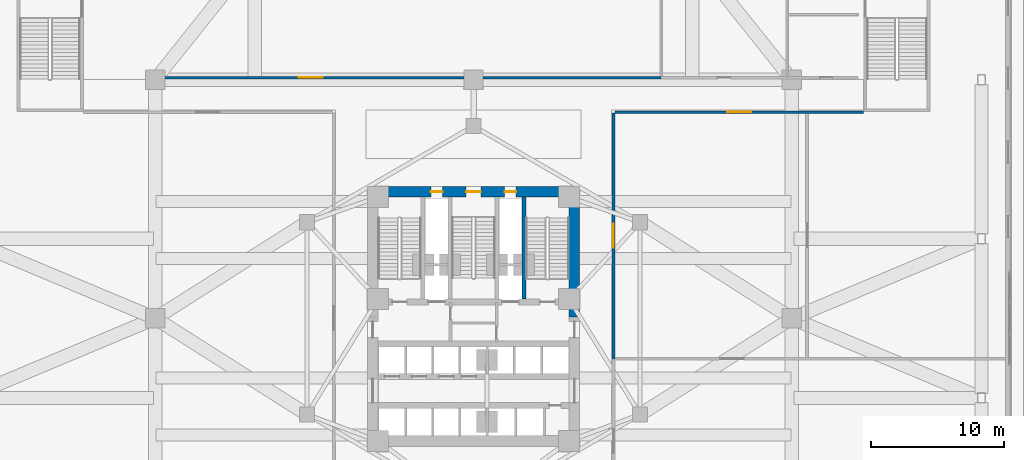
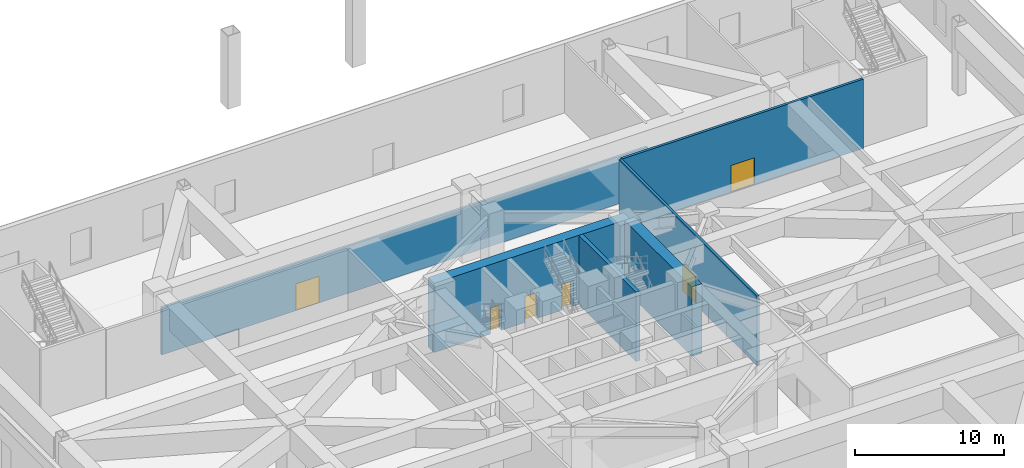
# One storey, part 13 of 25: 6 doors, 6 walls, 6 openings.
"""IFC4 building model written with IfcOpenShell, lengths in metres."""

from ifc_helpers import new_model, si_unit, direction, frame, frame_2d, origin, place, context, subcontext, project, spatial, rectangle, extrude, material, layer, layer_set, type_object, element, fill, save


model = new_model("IFC4")

# Units and contexts
model_context = context("Model", 3, precision=1e-05, world=origin(), true_north=direction((0.0, 1.0)))
body_context = subcontext(model_context, "Body", "Model", "MODEL_VIEW")
ifc_project = project(units=[si_unit("LENGTHUNIT", "METRE"), si_unit("AREAUNIT", "SQUARE_METRE"), si_unit("VOLUMEUNIT", "CUBIC_METRE"), si_unit("PLANEANGLEUNIT", "RADIAN"), si_unit("MASSUNIT", "GRAM", prefix="KILO")], contexts=[model_context])

# Site, building, storey
site_placement = place(None, origin())
site = spatial("IfcSite", under=ifc_project, at=site_placement, CompositionType="ELEMENT")
building_placement = place(site_placement, origin())
building = spatial("IfcBuilding", under=site, at=building_placement, Name="Apsidion Concourse Tower", CompositionType="ELEMENT")
storey_placement = place(building_placement, frame((0.0, 0.0, 11.5)))
storey = spatial("IfcBuildingStorey", under=building, at=storey_placement, Name="L02", CompositionType="ELEMENT", Elevation=11.5)

# Wall, opening, door
ifc_material_1 = material(Name="Gypsum plasterboard partition")
ifc_layer_1 = layer(ifc_material_1, 0.179931640625)
ifc_layer_set_1 = layer_set([ifc_layer_1], Name="Gypsum plasterboard partition")
wall_type_1 = type_object("IfcWallType", Name="WL-INT-PAR-180", PredefinedType="PARTITIONING", material=ifc_layer_set_1)
wall_1_placement = place(storey_placement, frame((-23.60009765625, 18.14990234375, 0.0), z_axis=(0.0, 0.0, 1.0), x_axis=(1.0, 0.0, 0.0)))
wall_1 = element("IfcWall", 1, at=wall_1_placement, inside=storey, type_object=wall_type_1, Name="L02 Interior Partition WL-L02-NW", PredefinedType="PARTITIONING", context=body_context, shape_type="SweptSolid", body=[
    extrude(rectangle(XDim=37.75, YDim=0.179931640625, at=frame_2d((18.875, 0.0))), origin(), (0.0, 0.0, 1.0), 3.8798828125),
])
opening_1_placement = place(wall_1_placement, frame((10.425048828125, 0.0, 0.0)))
opening_1 = element("IfcOpeningElement", 2, at=opening_1_placement, cuts=wall_1, Name="Opening D-06D", PredefinedType="OPENING", context=body_context, shape_type="SweptSolid", body=[
    extrude(rectangle(XDim=1.800048828125, YDim=2.199951171875, at=frame_2d((0.89990234375, 1.10009765625))), frame((0.0, 0.10009765625, 0.0), z_axis=(0.0, -1.0, 0.0), x_axis=(1.0, 0.0, 0.0)), (0.0, 0.0, 1.0), 0.199951171875),
])
ifc_material_2 = material(Name="Brushed stainless steel 316", Category="steel")
door_type_1 = type_object("IfcDoorType", Name="DR-INT-D06D", OperationType="DOUBLE_DOOR_SINGLE_SWING", PredefinedType="DOOR", material=ifc_material_2)
door_1_placement = place(opening_1_placement, origin())
door_1 = element("IfcDoor", 3, at=door_1_placement, inside=storey, type_object=door_type_1, Name="L02 Convention Door WL-L02-NW", OperationType="DOUBLE_DOOR_SINGLE_SWING", OverallHeight=2.199951171875, OverallWidth=1.800048828125, PredefinedType="DOOR", context=body_context, shape_type="SweptSolid", body=[
    extrude(rectangle(XDim=1.800048828125, YDim=2.199951171875, at=frame_2d((0.89990234375, 1.10009765625))), frame((0.0, 0.02490234375, 0.0), z_axis=(0.0, -1.0, 0.0), x_axis=(1.0, 0.0, 0.0)), (0.0, 0.0, 1.0), 0.050048828125),
])
fill(opening_1, door_1)

ifc_layer_2 = layer(ifc_material_1, 0.199951171875)
ifc_layer_set_2 = layer_set([ifc_layer_2], Name="Gypsum plasterboard partition")
wall_type_2 = type_object("IfcWallType", Name="WL-INT-PAR-200", PredefinedType="PARTITIONING", material=ifc_layer_set_2)
wall_2_placement = place(storey_placement, frame((10.550048828125, -3.050048828125, 0.0), z_axis=(0.0, 0.0, 1.0), x_axis=(0.0, 1.0, 0.0)))
wall_2 = element("IfcWall", 4, at=wall_2_placement, inside=storey, type_object=wall_type_2, Name="L02 Interior Partition WL-L02-E2", PredefinedType="PARTITIONING", context=body_context, shape_type="SweptSolid", body=[
    extrude(rectangle(XDim=18.550048828125, YDim=0.199951171875, at=frame_2d((9.27490234375, 0.0))), origin(), (0.0, 0.0, 1.0), 5.699951171875),
])
opening_2_placement = place(wall_2_placement, frame((8.375, 0.0, 0.0)))
opening_2 = element("IfcOpeningElement", 5, at=opening_2_placement, cuts=wall_2, Name="Opening D-06D", PredefinedType="OPENING", context=body_context, shape_type="SweptSolid", body=[
    extrude(rectangle(XDim=1.800048828125, YDim=2.199951171875, at=frame_2d((0.89990234375, 1.10009765625))), frame((0.0, 0.10986328125, 0.0), z_axis=(0.0, -1.0, 0.0), x_axis=(1.0, 0.0, 0.0)), (0.0, 0.0, 1.0), 0.219970703125),
])
door_2_placement = place(opening_2_placement, origin())
door_2 = element("IfcDoor", 6, at=door_2_placement, inside=storey, type_object=door_type_1, Name="L02 Convention Door WL-L02-E2", OperationType="DOUBLE_DOOR_SINGLE_SWING", OverallHeight=2.199951171875, OverallWidth=1.800048828125, PredefinedType="DOOR", context=body_context, shape_type="SweptSolid", body=[
    extrude(rectangle(XDim=1.800048828125, YDim=2.199951171875, at=frame_2d((0.89990234375, 1.10009765625))), frame((0.0, 0.02490234375, 0.0), z_axis=(0.0, -1.0, 0.0), x_axis=(1.0, 0.0, 0.0)), (0.0, 0.0, 1.0), 0.050048828125),
])
fill(opening_2, door_2)

wall_3_placement = place(storey_placement, frame((10.64990234375, 15.550048828125, 0.0), z_axis=(0.0, 0.0, 1.0), x_axis=(1.0, 0.0, 0.0)))
wall_3 = element("IfcWall", 7, at=wall_3_placement, inside=storey, type_object=wall_type_2, Name="L02 Interior Partition WL-L02-N2", PredefinedType="PARTITIONING", context=body_context, shape_type="SweptSolid", body=[
    extrude(rectangle(XDim=18.75, YDim=0.199951171875, at=frame_2d((9.375, 0.0))), origin(), (0.0, 0.0, 1.0), 5.699951171875),
])
opening_3_placement = place(wall_3_placement, frame((8.47509765625, 0.0, 0.0)))
opening_3 = element("IfcOpeningElement", 8, at=opening_3_placement, cuts=wall_3, Name="Opening D-06D", PredefinedType="OPENING", context=body_context, shape_type="SweptSolid", body=[
    extrude(rectangle(XDim=1.800048828125, YDim=2.199951171875, at=frame_2d((0.89990234375, 1.10009765625))), frame((0.0, 0.10986328125, 0.0), z_axis=(0.0, -1.0, 0.0), x_axis=(1.0, 0.0, 0.0)), (0.0, 0.0, 1.0), 0.219970703125),
])
door_3_placement = place(opening_3_placement, origin())
door_3 = element("IfcDoor", 9, at=door_3_placement, inside=storey, type_object=door_type_1, Name="L02 Convention Door WL-L02-N2", OperationType="DOUBLE_DOOR_SINGLE_SWING", OverallHeight=2.199951171875, OverallWidth=1.800048828125, PredefinedType="DOOR", context=body_context, shape_type="SweptSolid", body=[
    extrude(rectangle(XDim=1.800048828125, YDim=2.199951171875, at=frame_2d((0.89990234375, 1.10009765625))), frame((0.0, 0.02490234375, 0.0), z_axis=(0.0, -1.0, 0.0), x_axis=(1.0, 0.0, 0.0)), (0.0, 0.0, 1.0), 0.050048828125),
])
fill(opening_3, door_3)

# Wall
ifc_material_3 = material(Name="Concrete C50/60", Category="concrete")
ifc_layer_3 = layer(ifc_material_3, 0.300048828125)
ifc_layer_set_3 = layer_set([ifc_layer_3], Name="Concrete C50/60")
wall_type_3 = type_object("IfcWallType", Name="WL-SH-300", PredefinedType="SHEAR", material=ifc_layer_set_3)
wall_4_placement = place(storey_placement, frame((3.800048828125, 1.449951171875, 0.0), z_axis=(0.0, 0.0, 1.0), x_axis=(0.0, 1.0, 0.0)))
element("IfcWall", 10, at=wall_4_placement, inside=storey, type_object=wall_type_3, Name="L02 Central Core Shear Wall V4", PredefinedType="SHEAR", context=body_context, shape_type="SweptSolid", body=[
    extrude(rectangle(XDim=7.699951171875, YDim=0.300048828125, at=frame_2d((3.85009765625, 0.0))), origin(), (0.0, 0.0, 1.0), 5.699951171875),
])

# Wall, openings, doors
ifc_material_4 = material(Name="Concrete C60/75", Category="concrete")
ifc_layer_4 = layer(ifc_material_4, 0.800048828125)
ifc_layer_set_4 = layer_set([ifc_layer_4], Name="Concrete C60/75")
wall_type_4 = type_object("IfcWallType", Name="WL-SH-800", PredefinedType="SHEAR", material=ifc_layer_set_4)
wall_5_placement = place(storey_placement, frame((-7.60009765625, 9.550048828125, 0.0), z_axis=(0.0, 0.0, 1.0), x_axis=(1.0, 0.0, 0.0)))
wall_5 = element("IfcWall", 11, at=wall_5_placement, inside=storey, type_object=wall_type_4, Name="L02 Central Core Shear Wall N", PredefinedType="SHEAR", context=body_context, shape_type="SweptSolid", body=[
    extrude(rectangle(XDim=15.2001953125, YDim=0.800048828125, at=frame_2d((7.60009765625, 0.0))), origin(), (0.0, 0.0, 1.0), 5.699951171875),
])
opening_4_placement = place(wall_5_placement, frame((7.050048828125, 0.0, 0.0)))
opening_4 = element("IfcOpeningElement", 12, at=opening_4_placement, cuts=wall_5, Name="Opening D-STL", PredefinedType="OPENING", context=body_context, shape_type="SweptSolid", body=[
    extrude(rectangle(XDim=1.10009765625, YDim=2.14990234375, at=frame_2d((0.550048828125, 1.074951171875))), frame((0.0, 0.41015625, 0.0), z_axis=(0.0, -1.0, 0.0), x_axis=(1.0, 0.0, 0.0)), (0.0, 0.0, 1.0), 0.820068359375),
])
opening_5_placement = place(wall_5_placement, frame((4.3798828125, 0.0, 0.0)))
opening_5 = element("IfcOpeningElement", 13, at=opening_5_placement, cuts=wall_5, Name="Opening D-05L", PredefinedType="OPENING", context=body_context, shape_type="SweptSolid", body=[
    extrude(rectangle(XDim=0.8798828125, YDim=2.14990234375, at=frame_2d((0.43994140625, 1.074951171875))), frame((0.0, 0.41015625, 0.0), z_axis=(0.0, -1.0, 0.0), x_axis=(1.0, 0.0, 0.0)), (0.0, 0.0, 1.0), 0.820068359375),
])
opening_6_placement = place(wall_5_placement, frame((9.93994140625, 0.0, 0.0)))
opening_6 = element("IfcOpeningElement", 14, at=opening_6_placement, cuts=wall_5, Name="Opening D-05R", PredefinedType="OPENING", context=body_context, shape_type="SweptSolid", body=[
    extrude(rectangle(XDim=0.8798828125, YDim=2.14990234375, at=frame_2d((0.43994140625, 1.074951171875))), frame((0.0, 0.41015625, 0.0), z_axis=(0.0, -1.0, 0.0), x_axis=(1.0, 0.0, 0.0)), (0.0, 0.0, 1.0), 0.820068359375),
])
door_type_2 = type_object("IfcDoorType", Name="DR-INT-D05L", OperationType="SINGLE_SWING_LEFT", PredefinedType="DOOR", material=ifc_material_2)
door_4_placement = place(opening_5_placement, origin())
door_4 = element("IfcDoor", 15, at=door_4_placement, inside=storey, type_object=door_type_2, Name="L02 Electrical Riser Shaft Access Door", OperationType="SINGLE_SWING_LEFT", OverallHeight=2.14990234375, OverallWidth=0.8798828125, PredefinedType="DOOR", context=body_context, shape_type="SweptSolid", body=[
    extrude(rectangle(XDim=0.8798828125, YDim=2.14990234375, at=frame_2d((0.43994140625, 1.074951171875))), frame((0.0, 0.02490234375, 0.0), z_axis=(0.0, -1.0, 0.0), x_axis=(1.0, 0.0, 0.0)), (0.0, 0.0, 1.0), 0.050048828125),
])
fill(opening_5, door_4)
door_type_3 = type_object("IfcDoorType", Name="DR-INT-D05R", OperationType="SINGLE_SWING_RIGHT", PredefinedType="DOOR", material=ifc_material_2)
door_5_placement = place(opening_6_placement, origin())
door_5 = element("IfcDoor", 16, at=door_5_placement, inside=storey, type_object=door_type_3, Name="L02 Mechanical Riser Shaft Access Door", OperationType="SINGLE_SWING_RIGHT", OverallHeight=2.14990234375, OverallWidth=0.8798828125, PredefinedType="DOOR", context=body_context, shape_type="SweptSolid", body=[
    extrude(rectangle(XDim=0.8798828125, YDim=2.14990234375, at=frame_2d((0.43994140625, 1.074951171875))), frame((0.0, 0.02490234375, 0.0), z_axis=(0.0, -1.0, 0.0), x_axis=(1.0, 0.0, 0.0)), (0.0, 0.0, 1.0), 0.050048828125),
])
fill(opening_6, door_5)
door_type_4 = type_object("IfcDoorType", Name="DR-INT-ST1L", OperationType="SINGLE_SWING_LEFT", PredefinedType="DOOR", material=ifc_material_2)
door_6_placement = place(opening_4_placement, origin())
door_6 = element("IfcDoor", 17, at=door_6_placement, inside=storey, type_object=door_type_4, Name="L02 Core Exit Stair ST3 Door", OperationType="SINGLE_SWING_LEFT", OverallHeight=2.14990234375, OverallWidth=1.10009765625, PredefinedType="DOOR", context=body_context, shape_type="SweptSolid", body=[
    extrude(rectangle(XDim=1.10009765625, YDim=2.14990234375, at=frame_2d((0.550048828125, 1.074951171875))), frame((0.0, 0.02490234375, 0.0), z_axis=(0.0, -1.0, 0.0), x_axis=(1.0, 0.0, 0.0)), (0.0, 0.0, 1.0), 0.050048828125),
])
fill(opening_4, door_6)

# Wall
wall_6_placement = place(storey_placement, frame((7.60009765625, 0.10009765625, 0.0), z_axis=(0.0, 0.0, 1.0), x_axis=(0.0, 1.0, 0.0)))
element("IfcWall", 18, at=wall_6_placement, inside=storey, type_object=wall_type_4, Name="L02 Central Core Shear Wall EN", PredefinedType="SHEAR", context=body_context, shape_type="SweptSolid", body=[
    extrude(rectangle(XDim=9.0498046875, YDim=0.800048828125, at=frame_2d((4.52490234375, 0.0))), origin(), (0.0, 0.0, 1.0), 5.699951171875),
])

save(model, "model.ifc")
